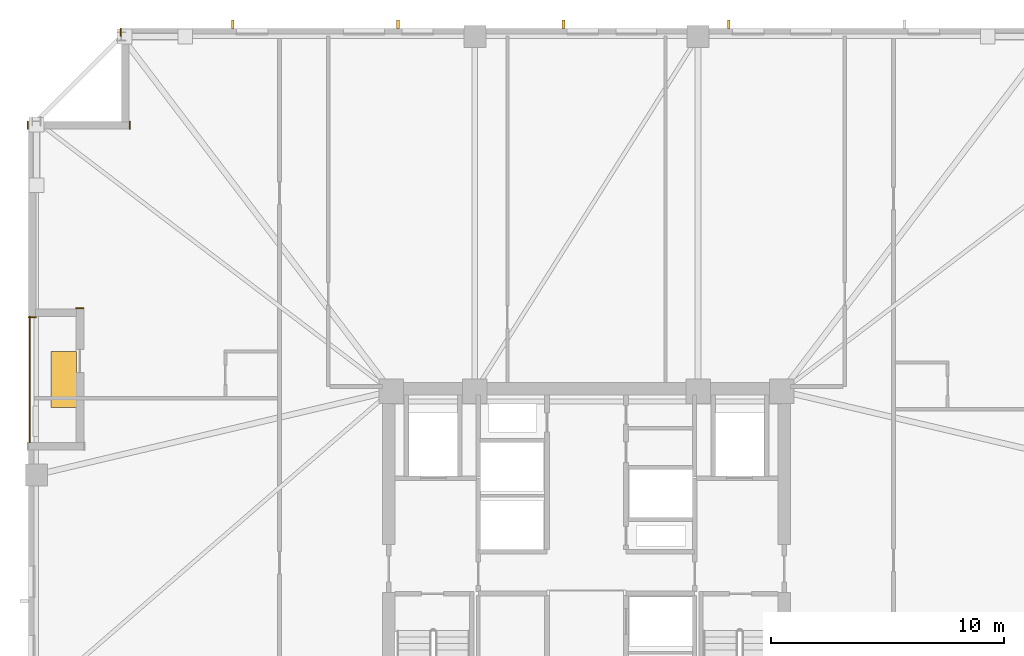
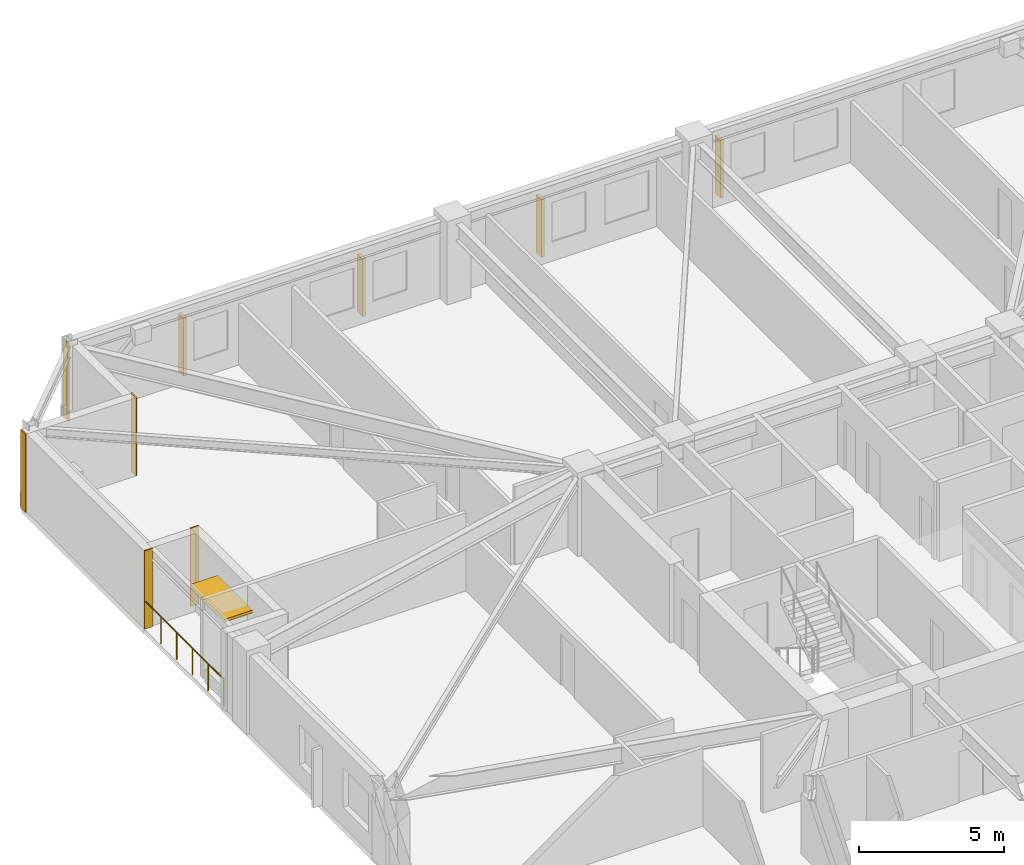
# One storey, part 9 of 10: 5 coverings, 5 shading devices, 1 railing.
"""IFC4 building model written with IfcOpenShell, lengths in metres."""

from ifc_helpers import new_model, si_unit, direction, frame, frame_2d, origin, origin_2d, place, context, subcontext, project, spatial, rectangle, circle, extrude, material, layer, layer_set, type_object, element, save


model = new_model("IFC4")

# Units and contexts
model_context = context("Model", 3, precision=1e-05, world=origin(), true_north=direction((0.0, 1.0)))
body_context = subcontext(model_context, "Body", "Model", "MODEL_VIEW")
ifc_project = project(units=[si_unit("LENGTHUNIT", "METRE"), si_unit("AREAUNIT", "SQUARE_METRE"), si_unit("VOLUMEUNIT", "CUBIC_METRE"), si_unit("PLANEANGLEUNIT", "RADIAN"), si_unit("MASSUNIT", "GRAM", prefix="KILO")], contexts=[model_context])

# Site, building, storey
site_placement = place(None, origin())
site = spatial("IfcSite", under=ifc_project, at=site_placement, CompositionType="ELEMENT")
building_placement = place(site_placement, origin())
building = spatial("IfcBuilding", under=site, at=building_placement, Name="Cairnveth Concourse Tower", CompositionType="ELEMENT")
storey_placement = place(building_placement, frame((0.0, 0.0, 113.0)))
storey = spatial("IfcBuildingStorey", under=building, at=storey_placement, Name="L30", CompositionType="ELEMENT", Elevation=113.0)

# Coverings
ifc_material_1 = material(Name="Dressed Melbourne Bluestone Cladding", Category="masonry")
ifc_layer = layer(ifc_material_1, 0.050048828125)
ifc_layer_set = layer_set([ifc_layer], Name="Dressed Melbourne Bluestone Cladding")
covering_type = type_object("IfcCoveringType", Name="DRESSED BLUESTONE PLINTH CLADDING 50", PredefinedType="CLADDING", material=ifc_layer_set)
for number, where, z_axis, x_axis, name in (
    (1, (28.340087890625, 50.580078125, 0.0), (0.0, 0.0, 1.0), (-1.0, 0.0, 0.0), "Melbourne Bluestone Corner Quoin L30-419"),
    (2, (27.97998046875, 58.659912109375, 0.0), (0.0, 0.0, 1.0), (0.0, 1.0, 0.0), "Melbourne Bluestone Corner Quoin L30-420"),
    (3, (32.360107421875, 58.659912109375, 0.0), (0.0, 0.0, 1.0), (0.0, 1.0, 0.0), "Melbourne Bluestone Corner Quoin L30-421"),
    (4, (31.97998046875, 62.659912109375, 0.0), (0.0, 0.0, 1.0), (0.0, 1.0, 0.0), "Melbourne Bluestone Corner Quoin L30-422"),
):
    element("IfcCovering", number, at=place(storey_placement, frame(where, z_axis=z_axis, x_axis=x_axis)), inside=storey, type_object=covering_type, Name=name, PredefinedType="CLADDING", context=body_context, shape_type="SweptSolid", body=[
        extrude(rectangle(XDim=0.340087890625, YDim=0.050048828125, at=frame_2d((0.169921875, 0.0))), origin(), (0.0, 0.0, 1.0), 3.280029296875),
    ])
covering_placement = place(storey_placement, frame((30.389892578125, 50.9599609375, 0.0), z_axis=(0.0, 0.0, 1.0), x_axis=(-1.0, 0.0, 0.0)))
element("IfcCovering", 5, at=covering_placement, inside=storey, type_object=covering_type, Name="Melbourne Bluestone Corner Quoin L30-434", PredefinedType="CLADDING", context=body_context, shape_type="SweptSolid", body=[
    extrude(rectangle(XDim=0.33984375, YDim=0.050048828125, at=frame_2d((0.169921875, 0.0))), origin(), (0.0, 0.0, 1.0), 3.280029296875),
])

# Shading devices
ifc_material_2 = material(Name="Architectural Bronze Anodised Aluminium 6063-T6", Category="aluminium")
shading_device_type_1 = type_object("IfcShadingDeviceType", Name="GOTHIC BRONZE VERTICAL LANCET FIN", PredefinedType="USERDEFINED", material=ifc_material_2)
for number, where, z_axis, x_axis, name in (
    (6, (36.791748046875, 63.175048828125, 0.030029296875), (0.0, 0.0, 1.0), (1.0, 0.0, 0.0), "Gothic Bronze Vertical Fin L30-3-1"),
    (7, (43.89892578125, 63.175048828125, 0.030029296875), (0.0, 0.0, 1.0), (1.0, 0.0, 0.0), "Gothic Bronze Vertical Fin L30-3-3"),
    (8, (51.006103515625, 63.175048828125, 0.030029296875), (0.0, 0.0, 1.0), (1.0, 0.0, 0.0), "Gothic Bronze Vertical Fin L30-3-5"),
    (9, (58.113037109375, 63.175048828125, 0.030029296875), (0.0, 0.0, 1.0), (1.0, 0.0, 0.0), "Gothic Bronze Vertical Fin L30-3-7"),
):
    element("IfcShadingDevice", number, at=place(storey_placement, frame(where, z_axis=z_axis, x_axis=x_axis)), inside=storey, type_object=shading_device_type_1, Name=name, ObjectType="VERTICAL FIN", PredefinedType="USERDEFINED", context=body_context, shape_type="SweptSolid", body=[
        extrude(rectangle(XDim=0.1201171875, YDim=0.360107421875, at=origin_2d()), origin(), (0.0, 0.0, 1.0), 2.419921875),
    ])
shading_device_type_2 = type_object("IfcShadingDeviceType", Name="SPIRAL TERRACE SUNSHADE CANOPY", PredefinedType="USERDEFINED", material=ifc_material_2)
shading_device_placement = place(storey_placement, frame((29.530029296875, 47.89990234375, 2.300048828125), z_axis=(0.0, 0.0, 1.0), x_axis=(1.0, 0.0, 0.0)))
element("IfcShadingDevice", 10, at=shading_device_placement, inside=storey, type_object=shading_device_type_2, Name="Spiral Terrace Sunshade L30", ObjectType="TERRACE SUNSHADE", PredefinedType="USERDEFINED", context=body_context, shape_type="SweptSolid", body=[
    extrude(rectangle(XDim=1.10009765625, YDim=2.39990234375, at=origin_2d()), origin(), (0.0, 0.0, 1.0), 0.1201171875),
])

# Railing
railing_type = type_object("IfcRailingType", Name="TERRACE BRONZE BALUSTRADE 1150", PredefinedType="BALUSTRADE", material=ifc_material_2)
railing_placement = place(storey_placement, frame((28.06005859375, 45.199951171875, 0.0)))
element("IfcRailing", 11, at=railing_placement, inside=storey, type_object=railing_type, Name="Terrace Balustrade RL-L30-TERR", PredefinedType="BALUSTRADE", context=body_context, shape_type="SweptSolid", body=[
    extrude(circle(Radius=0.02490234375, at=origin_2d()), frame((0.0, 0.0, 1.125), z_axis=(0.0, 1.0, 0.0), x_axis=(-1.0, 0.0, 0.0)), (0.0, 0.0, 1.0), 5.400146484375),
    extrude(circle(Radius=0.02099609375, at=origin_2d()), origin(), (0.0, 0.0, 1.0), 1.099853515625),
    extrude(circle(Radius=0.02099609375, at=origin_2d()), frame((0.0, 1.080078125, 0.0)), (0.0, 0.0, 1.0), 1.099853515625),
    extrude(circle(Radius=0.02099609375, at=origin_2d()), frame((0.0, 2.16015625, 0.0)), (0.0, 0.0, 1.0), 1.099853515625),
    extrude(circle(Radius=0.02099609375, at=origin_2d()), frame((0.0, 3.239990234375, 0.0)), (0.0, 0.0, 1.0), 1.099853515625),
    extrude(circle(Radius=0.02099609375, at=origin_2d()), frame((0.0, 4.320068359375, 0.0)), (0.0, 0.0, 1.0), 1.099853515625),
    extrude(circle(Radius=0.02099609375, at=origin_2d()), frame((0.0, 5.400146484375, 0.0)), (0.0, 0.0, 1.0), 1.099853515625),
])

save(model, "model.ifc")
